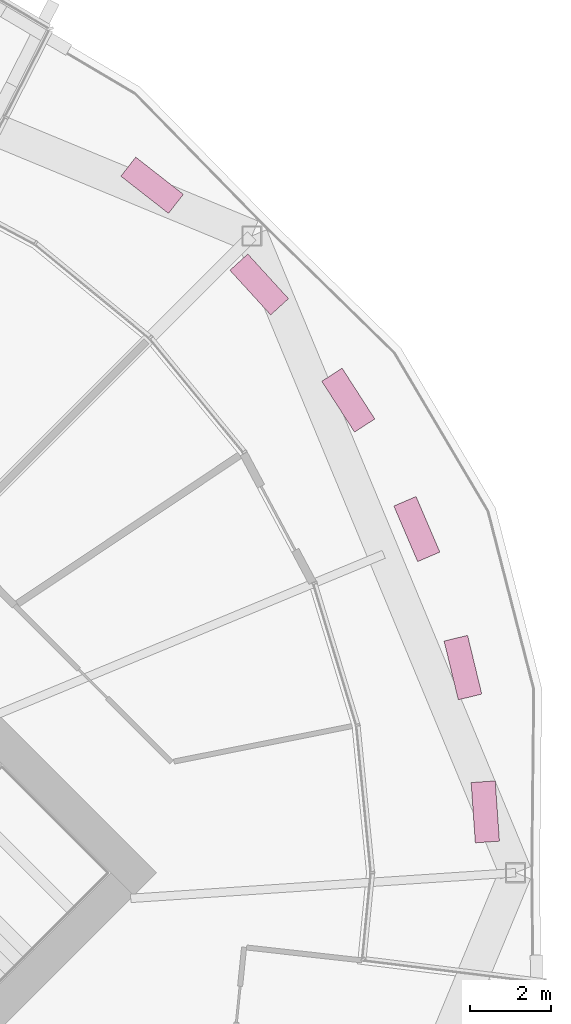
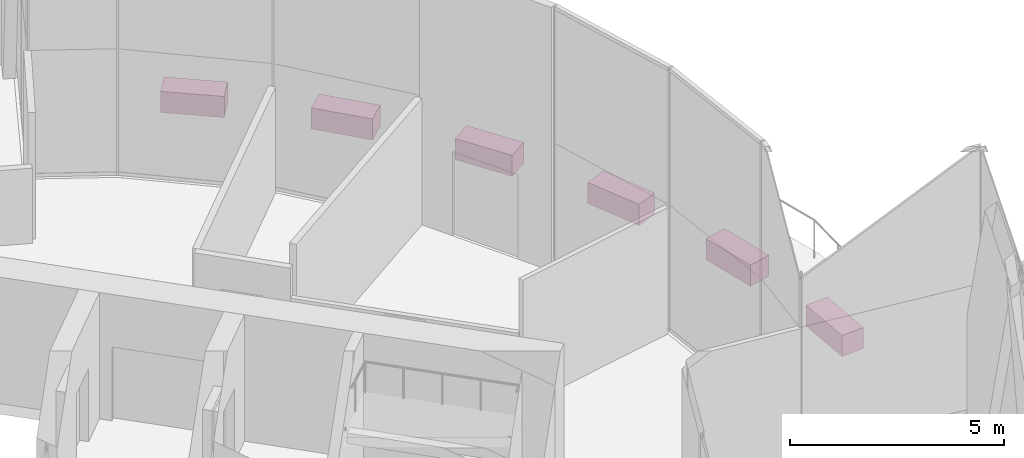
# One storey, part 27 of 27: 6 furniture elements.
"""IFC4 building model written with IfcOpenShell, lengths in metres."""

from ifc_helpers import new_model, si_unit, direction, frame, origin, origin_2d, place, context, subcontext, project, spatial, rectangle, extrude, material, type_object, element, save


model = new_model("IFC4")

# Units and contexts
model_context = context("Model", 3, precision=1e-05, world=origin(), true_north=direction((0.0, 1.0)))
body_context = subcontext(model_context, "Body", "Model", "MODEL_VIEW")
ifc_project = project(units=[si_unit("LENGTHUNIT", "METRE"), si_unit("AREAUNIT", "SQUARE_METRE"), si_unit("VOLUMEUNIT", "CUBIC_METRE"), si_unit("PLANEANGLEUNIT", "RADIAN"), si_unit("MASSUNIT", "GRAM", prefix="KILO")], contexts=[model_context])

# Site, building, storey
site_placement = place(None, origin())
site = spatial("IfcSite", under=ifc_project, at=site_placement, CompositionType="ELEMENT")
building_placement = place(site_placement, origin())
building = spatial("IfcBuilding", under=site, at=building_placement, Name="Ogive Gate Towers", CompositionType="ELEMENT")
storey_placement = place(building_placement, frame((0.0, 0.0, 123.0)))
storey = spatial("IfcBuildingStorey", under=building, at=storey_placement, Name="L29", CompositionType="ELEMENT", Elevation=123.0)

# Furniture
ifc_material = material(Name="Precast concrete C40/50", Category="concrete")
furniture_type = type_object("IfcFurnitureType", Name="Planter 1500 x 600", AssemblyPlace="NOTDEFINED", PredefinedType="USERDEFINED", material=ifc_material)
for number, where, z_axis, x_axis, name in (
    (1, (57.597412109375, 1.51025390625, 0.0), (0.0, 0.0, 1.0), (-0.069756473744, 0.99756405026, 0.0), "Planter"),
    (2, (57.04296875, 5.0908203125, 0.0), (0.0, 0.0, 1.0), (-0.235142113103, 0.971961000579, 0.0), "Planter"),
    (3, (55.8994140625, 8.52880859375, 0.0), (0.0, 0.0, 1.0), (-0.393941909591, 0.919135339255, 0.0), "Planter"),
    (4, (54.1982421875, 11.72802734375, 0.0), (0.0, 0.0, 1.0), (-0.541708210283, 0.840566603496, 0.0), "Planter"),
    (5, (51.987548828125, 14.5986328125, 0.0), (0.0, 0.0, 1.0), (-0.674302387584, 0.738455340626, 0.0), "Planter"),
    (6, (49.3291015625, 17.060302734375, 0.0), (0.0, 0.0, 1.0), (-0.788010753607, 0.615661475326, 0.0), "Planter"),
):
    element("IfcFurniture", number, at=place(storey_placement, frame(where, z_axis=z_axis, x_axis=x_axis)), inside=storey, type_object=furniture_type, Name=name, ObjectType="PLANTER", PredefinedType="USERDEFINED", context=body_context, shape_type="SweptSolid", body=[
        extrude(rectangle(XDim=1.5, YDim=0.60009765625, at=origin_2d()), origin(), (0.0, 0.0, 1.0), 0.60009765625),
    ])

save(model, "model.ifc")
